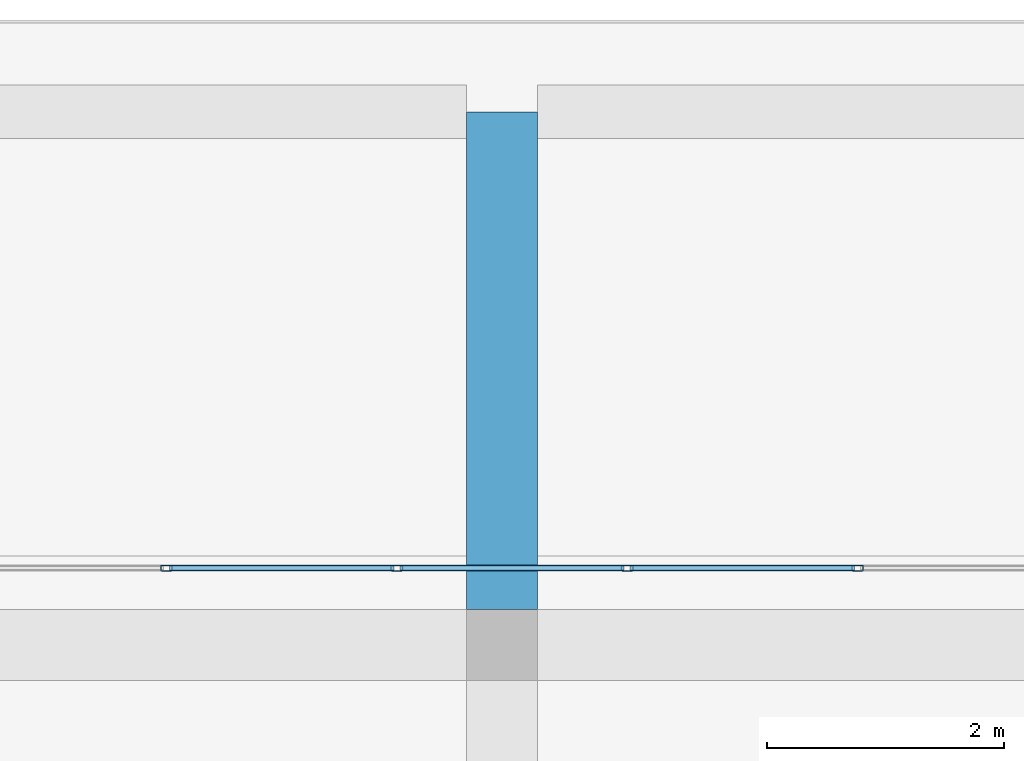
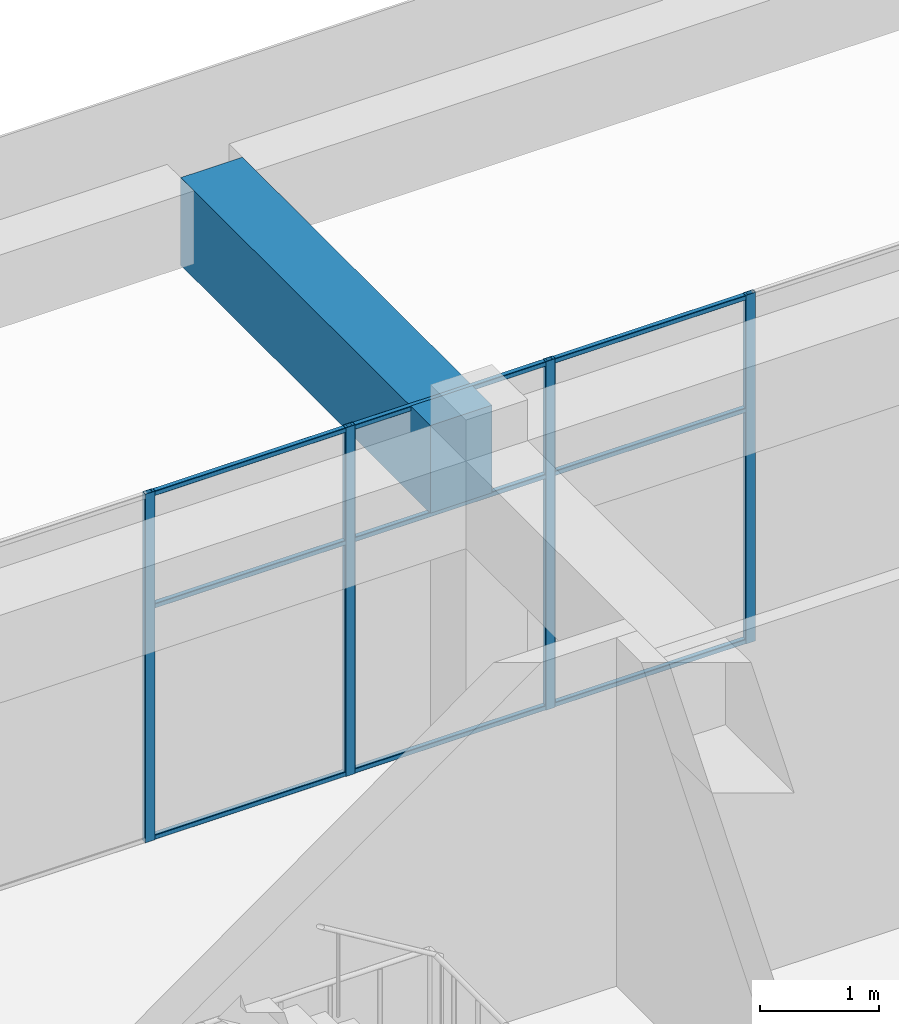
# One storey, part 24 of 35: 13 members, 1 beam, 1 element without a shape of its own.
"""IFC4 building model written with IfcOpenShell, lengths in metres."""

from ifc_helpers import new_model, si_unit, direction, frame, origin, origin_2d, place, context, subcontext, project, spatial, rectangle, hollow_rectangle, extrude, material, layer, layer_set, material_profile, profile_set, type_object, element, aggregate, save


model = new_model("IFC4")

# Units and contexts
model_context = context("Model", 3, precision=1e-05, world=origin(), true_north=direction((0.0, 1.0)))
body_context = subcontext(model_context, "Body", "Model", "MODEL_VIEW")
ifc_project = project(units=[si_unit("LENGTHUNIT", "METRE"), si_unit("AREAUNIT", "SQUARE_METRE"), si_unit("VOLUMEUNIT", "CUBIC_METRE"), si_unit("PLANEANGLEUNIT", "RADIAN"), si_unit("MASSUNIT", "GRAM", prefix="KILO")], contexts=[model_context])

# Site, building, storey
site_placement = place(None, origin())
site = spatial("IfcSite", under=ifc_project, at=site_placement, CompositionType="ELEMENT")
building_placement = place(site_placement, origin())
building = spatial("IfcBuilding", under=site, at=building_placement, Name="Tuart Plaza Theatre", CompositionType="ELEMENT")
storey_placement = place(building_placement, frame((0.0, 0.0, 49.5)))
storey = spatial("IfcBuildingStorey", under=building, at=storey_placement, Name="L12", CompositionType="ELEMENT", Elevation=49.5)

# Beam
ifc_material_1 = material(Name="Concrete N40 (40 MPa)", Category="concrete")
ifc_material_profile_1 = material_profile(ifc_material_1, rectangle(XDim=0.60009765625, YDim=0.89990234375, at=origin_2d()), Name="BEAM 600x900 Concrete N40 (40 MPa)")
ifc_profile_set_1 = profile_set([ifc_material_profile_1], Name="Concrete N40 (40 MPa)")
beam_type = type_object("IfcBeamType", Name="BEAM 600x900 Concrete N40 (40 MPa)", PredefinedType="BEAM", material=ifc_profile_set_1)
beam_placement = place(storey_placement, frame((123.0, 92.300048828125, 3.1298828125), z_axis=(0.0, 1.0, 0.0), x_axis=(-1.0, 0.0, 0.0)))
element("IfcBeam", 1, at=beam_placement, inside=storey, type_object=beam_type, Name="RB313", PredefinedType="BEAM", context=body_context, shape_type="SweptSolid", body=[
    extrude(rectangle(XDim=0.60009765625, YDim=0.89990234375, at=origin_2d()), origin(), (0.0, 0.0, 1.0), 4.199951171875),
])

# Curtain wall, members
ifc_material_2 = material(Name="Aluminium and glass", Category="aluminium")
ifc_layer = layer(ifc_material_2, 0.10009765625)
ifc_layer_set = layer_set([ifc_layer], Name="CURTAIN WALL 2000 module")
curtain_wall_type = type_object("IfcCurtainWallType", Name="CURTAIN WALL 2000 module", PredefinedType="NOTDEFINED", material=ifc_layer_set)
curtain_wall_placement = place(storey_placement, origin())
curtain_wall = element("IfcCurtainWall", 2, at=curtain_wall_placement, inside=storey, type_object=curtain_wall_type, Name="CW105", PredefinedType="NOTDEFINED")
ifc_material_3 = material(Name="Aluminium 6063-T5", Category="aluminium")
ifc_material_profile_2 = material_profile(ifc_material_3, hollow_rectangle(XDim=0.050048828125, YDim=0.10009765625, WallThickness=0.00390625, InnerFilletRadius=0.00390625, OuterFilletRadius=0.008056640625, at=origin_2d()), Name="RHS 100x50x4")
ifc_profile_set_2 = profile_set([ifc_material_profile_2], Name="Aluminium 6063-T5")
member_type_1 = type_object("IfcMemberType", Name="MULLION RHS 100x50x4", PredefinedType="MULLION", material=ifc_profile_set_2)
member_1_placement = place(storey_placement, frame((126.0, 92.64990234375, 0.0), z_axis=(0.0, 0.0, 1.0), x_axis=(0.0, -1.0, 0.0)))
member_1 = element("IfcMember", 3, at=member_1_placement, type_object=member_type_1, Name="CW105 mullion 9", PredefinedType="MULLION", context=body_context, shape_type="SweptSolid", body=[
    extrude(hollow_rectangle(XDim=0.050048828125, YDim=0.10009765625, WallThickness=0.00390625, InnerFilletRadius=0.00390625, OuterFilletRadius=0.008056640625, at=origin_2d()), origin(), (0.0, 0.0, 1.0), 3.580078125),
])
member_2_placement = place(storey_placement, frame((124.05615234375, 92.64990234375, 0.0), z_axis=(0.0, 0.0, 1.0), x_axis=(0.0, -1.0, 0.0)))
member_2 = element("IfcMember", 4, at=member_2_placement, type_object=member_type_1, Name="CW105 mullion 10", PredefinedType="MULLION", context=body_context, shape_type="SweptSolid", body=[
    extrude(hollow_rectangle(XDim=0.050048828125, YDim=0.10009765625, WallThickness=0.00390625, InnerFilletRadius=0.00390625, OuterFilletRadius=0.008056640625, at=origin_2d()), origin(), (0.0, 0.0, 1.0), 3.580078125),
])
member_3_placement = place(storey_placement, frame((122.112548828125, 92.64990234375, 0.0), z_axis=(0.0, 0.0, 1.0), x_axis=(0.0, -1.0, 0.0)))
member_3 = element("IfcMember", 5, at=member_3_placement, type_object=member_type_1, Name="CW105 mullion 11", PredefinedType="MULLION", context=body_context, shape_type="SweptSolid", body=[
    extrude(hollow_rectangle(XDim=0.050048828125, YDim=0.10009765625, WallThickness=0.00390625, InnerFilletRadius=0.00390625, OuterFilletRadius=0.008056640625, at=origin_2d()), origin(), (0.0, 0.0, 1.0), 3.580078125),
])
member_4_placement = place(storey_placement, frame((120.168701171875, 92.64990234375, 0.0), z_axis=(0.0, 0.0, 1.0), x_axis=(0.0, -1.0, 0.0)))
member_4 = element("IfcMember", 6, at=member_4_placement, type_object=member_type_1, Name="CW105 mullion 12", PredefinedType="MULLION", context=body_context, shape_type="SweptSolid", body=[
    extrude(hollow_rectangle(XDim=0.050048828125, YDim=0.10009765625, WallThickness=0.00390625, InnerFilletRadius=0.00390625, OuterFilletRadius=0.008056640625, at=origin_2d()), origin(), (0.0, 0.0, 1.0), 3.580078125),
])
ifc_material_4 = material(Name="Aluminium 6063-T5", Category="aluminium")
ifc_material_profile_3 = material_profile(ifc_material_4, hollow_rectangle(XDim=0.050048828125, YDim=0.050048828125, WallThickness=0.00390625, InnerFilletRadius=0.00390625, OuterFilletRadius=0.008056640625, at=origin_2d()), Name="RHS 50x50x4")
ifc_profile_set_3 = profile_set([ifc_material_profile_3], Name="Aluminium 6063-T5")
member_type_2 = type_object("IfcMemberType", Name="TRANSOM RHS 50x50x4", PredefinedType="USERDEFINED", material=ifc_profile_set_3)
member_5_placement = place(storey_placement, frame((125.97509765625, 92.64990234375, 0.02490234375), z_axis=(-1.0, 0.0, 0.0), x_axis=(0.0, -1.0, 0.0)))
member_5 = element("IfcMember", 7, at=member_5_placement, type_object=member_type_2, Name="CW105 transom 9.1", ObjectType="TRANSOM", PredefinedType="USERDEFINED", context=body_context, shape_type="SweptSolid", body=[
    extrude(hollow_rectangle(XDim=0.050048828125, YDim=0.050048828125, WallThickness=0.00390625, InnerFilletRadius=0.00390625, OuterFilletRadius=0.008056640625, at=origin_2d()), origin(), (0.0, 0.0, 1.0), 1.893798828125),
])
member_6_placement = place(storey_placement, frame((125.97509765625, 92.64990234375, 2.39990234375), z_axis=(-1.0, 0.0, 0.0), x_axis=(0.0, -1.0, 0.0)))
member_6 = element("IfcMember", 8, at=member_6_placement, type_object=member_type_2, Name="CW105 transom 9.2", ObjectType="TRANSOM", PredefinedType="USERDEFINED", context=body_context, shape_type="SweptSolid", body=[
    extrude(hollow_rectangle(XDim=0.050048828125, YDim=0.050048828125, WallThickness=0.00390625, InnerFilletRadius=0.00390625, OuterFilletRadius=0.008056640625, at=origin_2d()), origin(), (0.0, 0.0, 1.0), 1.893798828125),
])
member_7_placement = place(storey_placement, frame((125.97509765625, 92.64990234375, 3.554931640625), z_axis=(-1.0, 0.0, 0.0), x_axis=(0.0, -1.0, 0.0)))
member_7 = element("IfcMember", 9, at=member_7_placement, type_object=member_type_2, Name="CW105 transom 9.3", ObjectType="TRANSOM", PredefinedType="USERDEFINED", context=body_context, shape_type="SweptSolid", body=[
    extrude(hollow_rectangle(XDim=0.050048828125, YDim=0.050048828125, WallThickness=0.00390625, InnerFilletRadius=0.00390625, OuterFilletRadius=0.008056640625, at=origin_2d()), origin(), (0.0, 0.0, 1.0), 1.893798828125),
])
member_8_placement = place(storey_placement, frame((124.03125, 92.64990234375, 0.02490234375), z_axis=(-1.0, 0.0, 0.0), x_axis=(0.0, -1.0, 0.0)))
member_8 = element("IfcMember", 10, at=member_8_placement, type_object=member_type_2, Name="CW105 transom 10.1", ObjectType="TRANSOM", PredefinedType="USERDEFINED", context=body_context, shape_type="SweptSolid", body=[
    extrude(hollow_rectangle(XDim=0.050048828125, YDim=0.050048828125, WallThickness=0.00390625, InnerFilletRadius=0.00390625, OuterFilletRadius=0.008056640625, at=origin_2d()), origin(), (0.0, 0.0, 1.0), 1.893798828125),
])
member_9_placement = place(storey_placement, frame((124.03125, 92.64990234375, 2.39990234375), z_axis=(-1.0, 0.0, 0.0), x_axis=(0.0, -1.0, 0.0)))
member_9 = element("IfcMember", 11, at=member_9_placement, type_object=member_type_2, Name="CW105 transom 10.2", ObjectType="TRANSOM", PredefinedType="USERDEFINED", context=body_context, shape_type="SweptSolid", body=[
    extrude(hollow_rectangle(XDim=0.050048828125, YDim=0.050048828125, WallThickness=0.00390625, InnerFilletRadius=0.00390625, OuterFilletRadius=0.008056640625, at=origin_2d()), origin(), (0.0, 0.0, 1.0), 1.893798828125),
])
member_10_placement = place(storey_placement, frame((124.03125, 92.64990234375, 3.554931640625), z_axis=(-1.0, 0.0, 0.0), x_axis=(0.0, -1.0, 0.0)))
member_10 = element("IfcMember", 12, at=member_10_placement, type_object=member_type_2, Name="CW105 transom 10.3", ObjectType="TRANSOM", PredefinedType="USERDEFINED", context=body_context, shape_type="SweptSolid", body=[
    extrude(hollow_rectangle(XDim=0.050048828125, YDim=0.050048828125, WallThickness=0.00390625, InnerFilletRadius=0.00390625, OuterFilletRadius=0.008056640625, at=origin_2d()), origin(), (0.0, 0.0, 1.0), 1.893798828125),
])
member_11_placement = place(storey_placement, frame((122.08740234375, 92.64990234375, 0.02490234375), z_axis=(-1.0, 0.0, 0.0), x_axis=(0.0, -1.0, 0.0)))
member_11 = element("IfcMember", 13, at=member_11_placement, type_object=member_type_2, Name="CW105 transom 11.1", ObjectType="TRANSOM", PredefinedType="USERDEFINED", context=body_context, shape_type="SweptSolid", body=[
    extrude(hollow_rectangle(XDim=0.050048828125, YDim=0.050048828125, WallThickness=0.00390625, InnerFilletRadius=0.00390625, OuterFilletRadius=0.008056640625, at=origin_2d()), origin(), (0.0, 0.0, 1.0), 1.8935546875),
])
member_12_placement = place(storey_placement, frame((122.08740234375, 92.64990234375, 2.39990234375), z_axis=(-1.0, 0.0, 0.0), x_axis=(0.0, -1.0, 0.0)))
member_12 = element("IfcMember", 14, at=member_12_placement, type_object=member_type_2, Name="CW105 transom 11.2", ObjectType="TRANSOM", PredefinedType="USERDEFINED", context=body_context, shape_type="SweptSolid", body=[
    extrude(hollow_rectangle(XDim=0.050048828125, YDim=0.050048828125, WallThickness=0.00390625, InnerFilletRadius=0.00390625, OuterFilletRadius=0.008056640625, at=origin_2d()), origin(), (0.0, 0.0, 1.0), 1.8935546875),
])
member_13_placement = place(storey_placement, frame((122.08740234375, 92.64990234375, 3.554931640625), z_axis=(-1.0, 0.0, 0.0), x_axis=(0.0, -1.0, 0.0)))
member_13 = element("IfcMember", 15, at=member_13_placement, type_object=member_type_2, Name="CW105 transom 11.3", ObjectType="TRANSOM", PredefinedType="USERDEFINED", context=body_context, shape_type="SweptSolid", body=[
    extrude(hollow_rectangle(XDim=0.050048828125, YDim=0.050048828125, WallThickness=0.00390625, InnerFilletRadius=0.00390625, OuterFilletRadius=0.008056640625, at=origin_2d()), origin(), (0.0, 0.0, 1.0), 1.8935546875),
])
aggregate(curtain_wall, [member_1, member_2, member_3, member_4, member_5, member_6, member_7, member_8, member_9, member_10, member_11, member_12, member_13])

save(model, "model.ifc")
